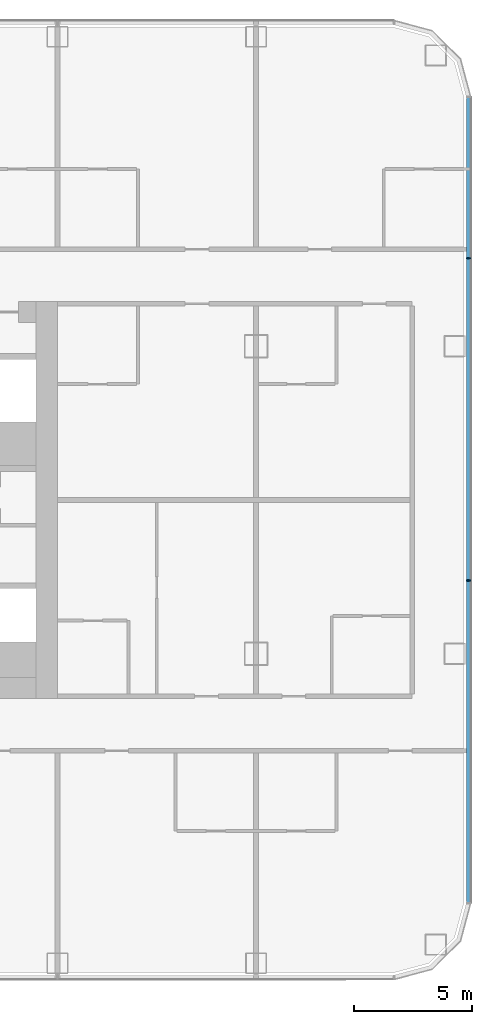
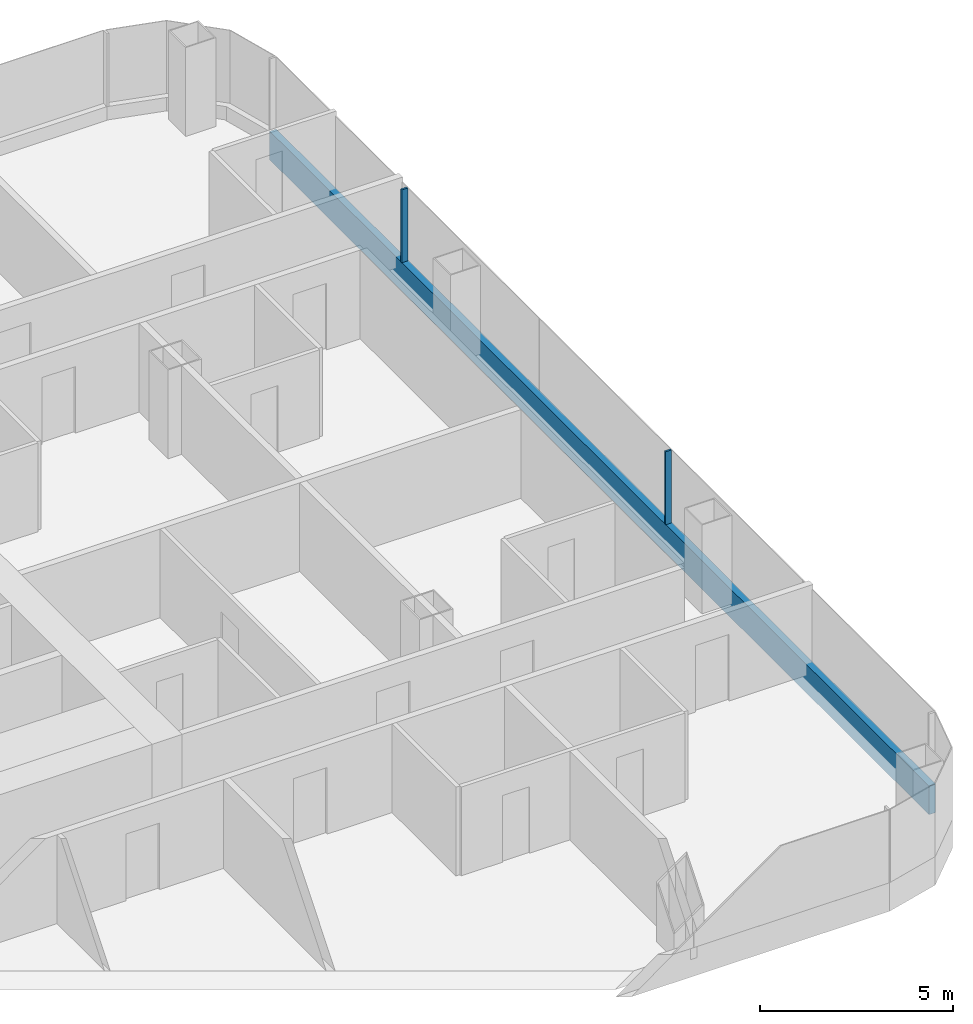
# One storey, part 10 of 28: 3 members, 1 element without a shape of its own.
"""IFC4 building model written with IfcOpenShell, lengths in metres."""

from ifc_helpers import new_model, si_unit, direction, frame, origin, origin_2d, place, context, subcontext, project, spatial, rectangle, extrude, material, layer, layer_set, material_profile, profile_set, type_object, element, aggregate, save


model = new_model("IFC4")

# Units and contexts
model_context = context("Model", 3, precision=1e-05, world=origin(), true_north=direction((0.0, 1.0)))
body_context = subcontext(model_context, "Body", "Model", "MODEL_VIEW")
ifc_project = project(units=[si_unit("LENGTHUNIT", "METRE"), si_unit("AREAUNIT", "SQUARE_METRE"), si_unit("VOLUMEUNIT", "CUBIC_METRE"), si_unit("PLANEANGLEUNIT", "RADIAN"), si_unit("MASSUNIT", "GRAM", prefix="KILO")], contexts=[model_context])

# Site, building, storey
site_placement = place(None, origin())
site = spatial("IfcSite", under=ifc_project, at=site_placement, CompositionType="ELEMENT")
building_placement = place(site_placement, origin())
building = spatial("IfcBuilding", under=site, at=building_placement, Name="Hakoniwa Tower and Hamabe Station Hall", CompositionType="ELEMENT")
storey_placement = place(building_placement, frame((0.0, 0.0, 35.800048828125)))
storey = spatial("IfcBuildingStorey", under=building, at=storey_placement, Name="L09", CompositionType="ELEMENT", Elevation=35.800048828125)

# Curtain wall, members
ifc_material_1 = material(Name="Dark low-e laminated glass", Category="glass")
ifc_layer = layer(ifc_material_1, 0.199951171875)
ifc_layer_set = layer_set([ifc_layer], Name="CW-1 UNITISED GUEST")
curtain_wall_type = type_object("IfcCurtainWallType", Name="CW-1 UNITISED GUEST", PredefinedType="NOTDEFINED", material=ifc_layer_set)
curtain_wall_placement = place(storey_placement, origin())
curtain_wall = element("IfcCurtainWall", 1, at=curtain_wall_placement, inside=storey, type_object=curtain_wall_type, Name="CW-1 curtain wall", PredefinedType="NOTDEFINED")
ifc_material_2 = material(Name="Aluminium 6063-T5 black anodised", Category="aluminium")
ifc_material_profile_1 = material_profile(ifc_material_2, rectangle(XDim=0.199951171875, YDim=0.89990234375, at=origin_2d()), Name="CW SLAB-EDGE BAND 900X200")
ifc_profile_set_1 = profile_set([ifc_material_profile_1], Name="Aluminium 6063-T5 black anodised")
member_type_1 = type_object("IfcMemberType", Name="CW SLAB-EDGE BAND 900X200", PredefinedType="USERDEFINED", material=ifc_profile_set_1)
member_1_placement = place(storey_placement, frame((51.0, -17.03955078125, -0.10009765625), z_axis=(0.0, 1.0, 0.0), x_axis=(-1.0, 0.0, 0.0)))
member_1 = element("IfcMember", 2, at=member_1_placement, type_object=member_type_1, Name="CW-1 transom", ObjectType="TRANSOM", PredefinedType="USERDEFINED", context=body_context, shape_type="SweptSolid", body=[
    extrude(rectangle(XDim=0.199951171875, YDim=0.89990234375, at=origin_2d()), origin(), (0.0, 0.0, 1.0), 34.0791015625),
])
ifc_material_3 = material(Name="Aluminium 6063-T5 black anodised", Category="aluminium")
ifc_material_profile_2 = material_profile(ifc_material_3, rectangle(XDim=0.06005859375, YDim=0.179931640625, at=origin_2d()), Name="CW-1 MULLION 60X180")
ifc_profile_set_2 = profile_set([ifc_material_profile_2], Name="Aluminium 6063-T5 black anodised")
member_type_2 = type_object("IfcMemberType", Name="CW-1 MULLION 60X180", PredefinedType="MULLION", material=ifc_profile_set_2)
member_2_placement = place(storey_placement, frame((50.98193359375, -3.407958984375, 0.349853515625), z_axis=(0.0, 0.0, 1.0), x_axis=(0.0, 1.0, 0.0)))
member_2 = element("IfcMember", 3, at=member_2_placement, type_object=member_type_2, Name="CW-1 mullion", PredefinedType="MULLION", context=body_context, shape_type="SweptSolid", body=[
    extrude(rectangle(XDim=0.06005859375, YDim=0.179931640625, at=origin_2d()), origin(), (0.0, 0.0, 1.0), 2.300048828125),
])
member_3_placement = place(storey_placement, frame((50.98193359375, 10.2236328125, 0.349853515625), z_axis=(0.0, 0.0, 1.0), x_axis=(0.0, 1.0, 0.0)))
member_3 = element("IfcMember", 4, at=member_3_placement, type_object=member_type_2, Name="CW-1 mullion", PredefinedType="MULLION", context=body_context, shape_type="SweptSolid", body=[
    extrude(rectangle(XDim=0.06005859375, YDim=0.179931640625, at=origin_2d()), origin(), (0.0, 0.0, 1.0), 2.300048828125),
])
aggregate(curtain_wall, [member_2, member_3, member_1])

save(model, "model.ifc")
